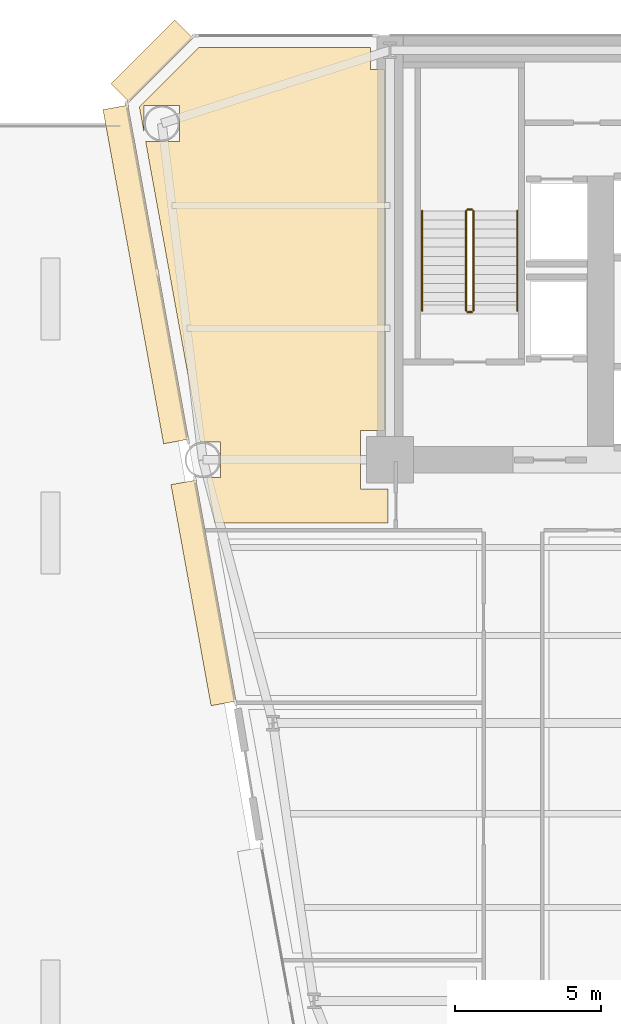
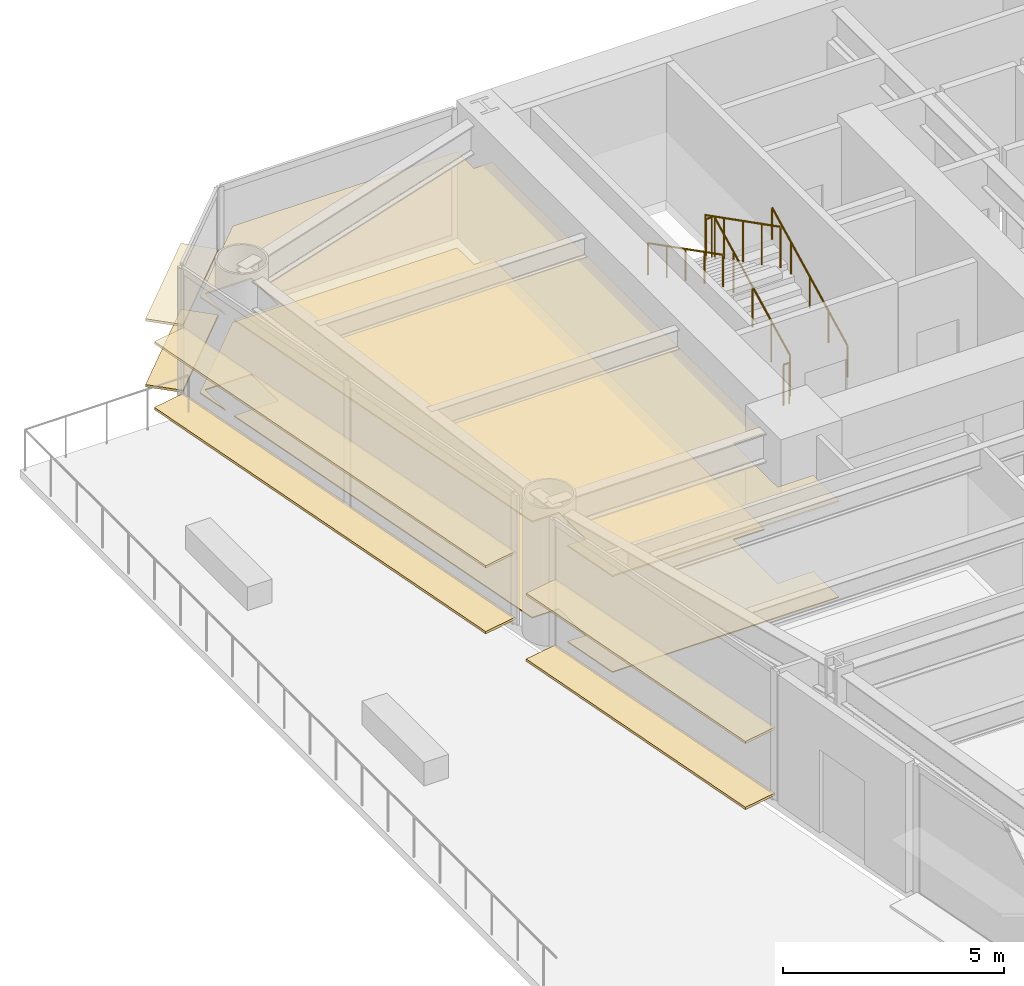
# One storey, part 12 of 14: 8 coverings, 6 railings.
"""IFC4 building model written with IfcOpenShell, lengths in metres."""

from ifc_helpers import new_model, si_unit, direction, frame, origin, origin_2d, place, context, subcontext, project, spatial, polyline, rectangle, circle, outline, extrude, source, transform, mapped, material, layer, layer_set, type_object, element, save


model = new_model("IFC4")

# Units and contexts
model_context = context("Model", 3, precision=1e-05, world=origin(), true_north=direction((0.0, 1.0)))
body_context = subcontext(model_context, "Body", "Model", "MODEL_VIEW")
ifc_project = project(units=[si_unit("LENGTHUNIT", "METRE"), si_unit("AREAUNIT", "SQUARE_METRE"), si_unit("VOLUMEUNIT", "CUBIC_METRE"), si_unit("PLANEANGLEUNIT", "RADIAN"), si_unit("MASSUNIT", "GRAM", prefix="KILO")], contexts=[model_context])

# Site, building, storey
site_placement = place(None, origin())
site = spatial("IfcSite", under=ifc_project, at=site_placement, CompositionType="ELEMENT")
building_placement = place(site_placement, origin())
building = spatial("IfcBuilding", under=site, at=building_placement, Name="Vaeldorn Concourse Tower", CompositionType="ELEMENT")
storey_placement = place(building_placement, frame((0.0, 0.0, 18.800048828125)))
storey = spatial("IfcBuildingStorey", under=building, at=storey_placement, Name="L04", CompositionType="ELEMENT", Elevation=18.800048828125)

# Coverings
ifc_material_1 = material(Name="Acoustic Mineral Fibre Board", Category="gypsum")
ifc_layer_1 = layer(ifc_material_1, 0.0400390625)
ifc_layer_set_1 = layer_set([ifc_layer_1], Name="Acoustic Mineral Fibre Board")
covering_type_1 = type_object("IfcCoveringType", Name="COV-CEIL-ACOUSTIC", PredefinedType="CEILING", material=ifc_layer_set_1)
covering_1_placement = place(storey_placement, frame((0.0, 0.0, 2.64990234375)))
element("IfcCovering", 1, at=covering_1_placement, inside=storey, type_object=covering_type_1, Name="Suspended Acoustic Ceiling L04-4", PredefinedType="CEILING", context=body_context, shape_type="SweptSolid", body=[
    extrude(outline(polyline([(7.4658203125, 50.60009765625), (13.340087890625, 50.60009765625), (13.340087890625, 49.840087890625), (13.820068359375, 49.840087890625), (13.820068359375, 37.5), (13.0, 37.5), (13.0, 35.5), (13.93994140625, 35.5), (13.93994140625, 34.340087890625), (8.0107421875, 34.340087890625), (7.767822265625, 35.679931640625), (7.767822265625, 35.679931640625), (7.7294921875, 35.890380859375), (8.20947265625, 35.890380859375), (8.20947265625, 37.109619140625), (7.508544921875, 37.109619140625), (5.64404296875, 47.390380859375), (6.8095703125, 47.390380859375), (6.8095703125, 48.609619140625), (5.590576171875, 48.609619140625), (5.590576171875, 47.685302734375), (5.430908203125, 48.565185546875), (7.4658203125, 50.60009765625)])), origin(), (0.0, 0.0, 1.0), 0.0400390625),
])
ifc_material_2 = material(Name="Honed Limestone Terrazzo Flooring", Category="masonry")
ifc_layer_2 = layer(ifc_material_2, 0.0400390625)
ifc_layer_set_2 = layer_set([ifc_layer_2], Name="Honed Limestone Terrazzo Flooring")
covering_type_2 = type_object("IfcCoveringType", Name="COV-FLOOR-STONE", PredefinedType="FLOORING", material=ifc_layer_set_2)
covering_2_placement = place(storey_placement, origin())
element("IfcCovering", 2, at=covering_2_placement, inside=storey, type_object=covering_type_2, Name="Floor Finish Covering L04-4", PredefinedType="FLOORING", context=body_context, shape_type="SweptSolid", body=[
    extrude(outline(polyline([(7.4658203125, 50.60009765625), (13.340087890625, 50.60009765625), (13.340087890625, 49.840087890625), (13.820068359375, 49.840087890625), (13.820068359375, 37.5), (13.0, 37.5), (13.0, 35.5), (13.93994140625, 35.5), (13.93994140625, 34.340087890625), (8.0107421875, 34.340087890625), (7.767822265625, 35.679931640625), (7.767822265625, 35.679931640625), (7.7294921875, 35.890380859375), (8.20947265625, 35.890380859375), (8.20947265625, 37.109619140625), (7.508544921875, 37.109619140625), (5.64404296875, 47.390380859375), (6.8095703125, 47.390380859375), (6.8095703125, 48.609619140625), (5.590576171875, 48.609619140625), (5.590576171875, 47.685302734375), (5.430908203125, 48.565185546875), (7.4658203125, 50.60009765625)])), origin(), (0.0, 0.0, 1.0), 0.030029296875),
])

# Railings
ifc_material_3 = material(Name="Anodised Bronze Aluminium", Category="aluminium")
railing_type_1 = type_object("IfcRailingType", Name="RL-STAIR-GUARD", PredefinedType="GUARDRAIL", material=ifc_material_3)
railing_1_placement = place(storey_placement, frame((16.85009765625, 41.60009765625, 0.158203125)))
element("IfcRailing", 3, at=railing_1_placement, inside=storey, type_object=railing_type_1, Name="L04 ST-1 stair guard 1", PredefinedType="GUARDRAIL", context=body_context, shape_type="SweptSolid", body=[
    extrude(circle(Radius=0.02392578125, at=origin_2d()), frame((0.0, 0.0, 1.1259765625), z_axis=(0.0, 0.890555807335, 0.454873997962), x_axis=(-1.0, 0.0, 0.0)), (0.0, 0.0, 1.0), 3.828857421875),
    extrude(circle(Radius=0.02099609375, at=origin_2d()), origin(), (0.0, 0.0, 1.0), 1.101806640625),
    extrude(circle(Radius=0.02099609375, at=origin_2d()), frame((0.0, 0.8525390625, 0.435546875)), (0.0, 0.0, 1.0), 1.101806640625),
    extrude(circle(Radius=0.02099609375, at=origin_2d()), frame((0.0, 1.705078125, 0.870849609375)), (0.0, 0.0, 1.0), 1.101806640625),
    extrude(circle(Radius=0.02099609375, at=origin_2d()), frame((0.0, 2.557373046875, 1.30615234375)), (0.0, 0.0, 1.0), 1.101806640625),
    extrude(circle(Radius=0.02099609375, at=origin_2d()), frame((0.0, 3.409912109375, 1.74169921875)), (0.0, 0.0, 1.0), 1.101806640625),
])
railing_2_placement = place(storey_placement, frame((16.800048828125, 45.06005859375, 1.89990234375)))
element("IfcRailing", 4, at=railing_2_placement, inside=storey, type_object=railing_type_1, Name="L04 ST-1 stair guard 2", PredefinedType="GUARDRAIL", context=body_context, shape_type="SweptSolid", body=[
    extrude(circle(Radius=0.02392578125, at=origin_2d()), frame((0.0, 0.0, 1.1259765625), z_axis=(-1.0, 0.0, 0.0), x_axis=(0.0, -1.0, 0.0)), (0.0, 0.0, 1.0), 0.150146484375),
    extrude(circle(Radius=0.02099609375, at=origin_2d()), origin(), (0.0, 0.0, 1.0), 1.101806640625),
    extrude(circle(Radius=0.02099609375, at=origin_2d()), frame((-0.150146484375, 0.0, 0.0)), (0.0, 0.0, 1.0), 1.101806640625),
])
railing_3_placement = place(storey_placement, frame((16.60009765625, 45.010009765625, 2.058349609375)))
element("IfcRailing", 5, at=railing_3_placement, inside=storey, type_object=railing_type_1, Name="L04 ST-1 stair guard 3", PredefinedType="GUARDRAIL", context=body_context, shape_type="SweptSolid", body=[
    extrude(circle(Radius=0.02392578125, at=origin_2d()), frame((0.0, 0.0, 1.1259765625), z_axis=(0.0, -0.890555807335, 0.454873997962), x_axis=(1.0, 0.0, 0.0)), (0.0, 0.0, 1.0), 3.828857421875),
    extrude(circle(Radius=0.02099609375, at=origin_2d()), origin(), (0.0, 0.0, 1.0), 1.101806640625),
    extrude(circle(Radius=0.02099609375, at=origin_2d()), frame((0.0, -0.8525390625, 0.435546875)), (0.0, 0.0, 1.0), 1.101806640625),
    extrude(circle(Radius=0.02099609375, at=origin_2d()), frame((0.0, -1.705078125, 0.870849609375)), (0.0, 0.0, 1.0), 1.101806640625),
    extrude(circle(Radius=0.02099609375, at=origin_2d()), frame((0.0, -2.557373046875, 1.30615234375)), (0.0, 0.0, 1.0), 1.101806640625),
    extrude(circle(Radius=0.02099609375, at=origin_2d()), frame((0.0, -3.409912109375, 1.74169921875)), (0.0, 0.0, 1.0), 1.101806640625),
])
railing_4_placement = place(storey_placement, frame((16.800048828125, 41.550048828125, 0.0)))
element("IfcRailing", 6, at=railing_4_placement, inside=storey, type_object=railing_type_1, Name="L04 ST-1 stair guard 4", PredefinedType="GUARDRAIL", context=body_context, shape_type="SweptSolid", body=[
    extrude(circle(Radius=0.02392578125, at=origin_2d()), frame((0.0, 0.0, 1.1259765625), z_axis=(-1.0, 0.0, 0.0), x_axis=(0.0, -1.0, 0.0)), (0.0, 0.0, 1.0), 0.150146484375),
    extrude(circle(Radius=0.02099609375, at=origin_2d()), origin(), (0.0, 0.0, 1.0), 1.101806640625),
    extrude(circle(Radius=0.02099609375, at=origin_2d()), frame((-0.150146484375, 0.0, 0.0)), (0.0, 0.0, 1.0), 1.101806640625),
])
railing_type_2 = type_object("IfcRailingType", Name="RL-STAIR-HANDRAIL", PredefinedType="HANDRAIL", material=ifc_material_3)
railing_5_placement = place(storey_placement, frame((18.35009765625, 41.60009765625, 0.158203125)))
element("IfcRailing", 7, at=railing_5_placement, inside=storey, type_object=railing_type_2, Name="L04 ST-1 stair handrail 1", PredefinedType="HANDRAIL", context=body_context, shape_type="SweptSolid", body=[
    extrude(circle(Radius=0.02392578125, at=origin_2d()), frame((0.0, 0.0, 0.8759765625), z_axis=(0.0, 0.890555807335, 0.454873997962), x_axis=(-1.0, 0.0, 0.0)), (0.0, 0.0, 1.0), 3.828857421875),
    extrude(circle(Radius=0.02099609375, at=origin_2d()), origin(), (0.0, 0.0, 1.0), 0.851806640625),
    extrude(circle(Radius=0.02099609375, at=origin_2d()), frame((0.0, 0.8525390625, 0.435546875)), (0.0, 0.0, 1.0), 0.851806640625),
    extrude(circle(Radius=0.02099609375, at=origin_2d()), frame((0.0, 1.705078125, 0.870849609375)), (0.0, 0.0, 1.0), 0.851806640625),
    extrude(circle(Radius=0.02099609375, at=origin_2d()), frame((0.0, 2.557373046875, 1.30615234375)), (0.0, 0.0, 1.0), 0.851806640625),
    extrude(circle(Radius=0.02099609375, at=origin_2d()), frame((0.0, 3.409912109375, 1.74169921875)), (0.0, 0.0, 1.0), 0.851806640625),
])
railing_6_placement = place(storey_placement, frame((15.10009765625, 45.010009765625, 2.058349609375)))
element("IfcRailing", 8, at=railing_6_placement, inside=storey, type_object=railing_type_2, Name="L04 ST-1 stair handrail 2", PredefinedType="HANDRAIL", context=body_context, shape_type="SweptSolid", body=[
    extrude(circle(Radius=0.02392578125, at=origin_2d()), frame((0.0, 0.0, 0.8759765625), z_axis=(0.0, -0.890555807335, 0.454873997962), x_axis=(1.0, 0.0, 0.0)), (0.0, 0.0, 1.0), 3.828857421875),
    extrude(circle(Radius=0.02099609375, at=origin_2d()), origin(), (0.0, 0.0, 1.0), 0.851806640625),
    extrude(circle(Radius=0.02099609375, at=origin_2d()), frame((0.0, -0.8525390625, 0.435546875)), (0.0, 0.0, 1.0), 0.851806640625),
    extrude(circle(Radius=0.02099609375, at=origin_2d()), frame((0.0, -1.705078125, 0.870849609375)), (0.0, 0.0, 1.0), 0.851806640625),
    extrude(circle(Radius=0.02099609375, at=origin_2d()), frame((0.0, -2.557373046875, 1.30615234375)), (0.0, 0.0, 1.0), 0.851806640625),
    extrude(circle(Radius=0.02099609375, at=origin_2d()), frame((0.0, -3.409912109375, 1.74169921875)), (0.0, 0.0, 1.0), 0.851806640625),
])

# Coverings
ifc_layer_3 = layer(ifc_material_3, 0.06494140625)
ifc_layer_set_3 = layer_set([ifc_layer_3], Name="Anodised Bronze Aluminium")
covering_type_3 = type_object("IfcCoveringType", Name="SD-BRONZE-SUNSHADE", PredefinedType="USERDEFINED", material=ifc_layer_set_3)
shared_shape_1 = source(origin(), body_context, "Body", "SweptSolid", [
    extrude(rectangle(XDim=3.0927734375, YDim=0.8798828125, at=origin_2d()), origin(), (0.0, 0.0, 1.0), 0.06494140625),
])
for number, where, z_axis, x_axis, name in (
    (9, (5.8671875, 50.1328125, 0.04736328125), (0.0, 0.0, 1.0), (-0.707106781187, -0.707106781187, 0.0), "Horizontal Bronze Sunshade L04-E10.1.1"),
    (10, (5.8671875, 50.1328125, 1.867431640625), (0.0, 0.0, 1.0), (-0.707106781187, -0.707106781187, 0.0), "Horizontal Bronze Sunshade L04-E10.1.2"),
):
    element("IfcCovering", number, at=place(storey_placement, frame(where, z_axis=z_axis, x_axis=x_axis)), inside=storey, type_object=covering_type_3, Name=name, ObjectType="SUNSHADE", PredefinedType="USERDEFINED", context=body_context, shape_type="MappedRepresentation", body=[
        mapped(shared_shape_1, transform((0.0, 0.0, 0.0), scale=1.0)),
    ])
shared_shape_2 = source(origin(), body_context, "Body", "SweptSolid", [
    extrude(rectangle(XDim=7.68115234375, YDim=0.8798828125, at=origin_2d()), origin(), (0.0, 0.0, 1.0), 0.06494140625),
])
for number, where, z_axis, x_axis, name in (
    (11, (7.630859375, 31.951416015625, 0.04736328125), (0.0, 0.0, 1.0), (0.178441590414, -0.983950506281, 0.0), "Horizontal Bronze Sunshade L04-E11.2.1"),
    (12, (7.630859375, 31.951416015625, 1.867431640625), (0.0, 0.0, 1.0), (0.178441590414, -0.983950506281, 0.0), "Horizontal Bronze Sunshade L04-E11.2.2"),
):
    element("IfcCovering", number, at=place(storey_placement, frame(where, z_axis=z_axis, x_axis=x_axis)), inside=storey, type_object=covering_type_3, Name=name, ObjectType="SUNSHADE", PredefinedType="USERDEFINED", context=body_context, shape_type="MappedRepresentation", body=[
        mapped(shared_shape_2, transform((0.0, 0.0, 0.0), scale=1.0)),
    ])
shared_shape_3 = source(origin(), body_context, "Body", "SweptSolid", [
    extrude(rectangle(XDim=11.609375, YDim=0.8798828125, at=origin_2d()), origin(), (0.0, 0.0, 1.0), 0.06494140625),
])
for number, where, z_axis, x_axis, name in (
    (13, (5.656494140625, 42.83837890625, 0.04736328125), (0.0, 0.0, 1.0), (0.178441590414, -0.983950506281, 0.0), "Horizontal Bronze Sunshade L04-E11.1.1"),
    (14, (5.656494140625, 42.83837890625, 1.867431640625), (0.0, 0.0, 1.0), (0.178441590414, -0.983950506281, 0.0), "Horizontal Bronze Sunshade L04-E11.1.2"),
):
    element("IfcCovering", number, at=place(storey_placement, frame(where, z_axis=z_axis, x_axis=x_axis)), inside=storey, type_object=covering_type_3, Name=name, ObjectType="SUNSHADE", PredefinedType="USERDEFINED", context=body_context, shape_type="MappedRepresentation", body=[
        mapped(shared_shape_3, transform((0.0, 0.0, 0.0), scale=1.0)),
    ])

save(model, "model.ifc")
